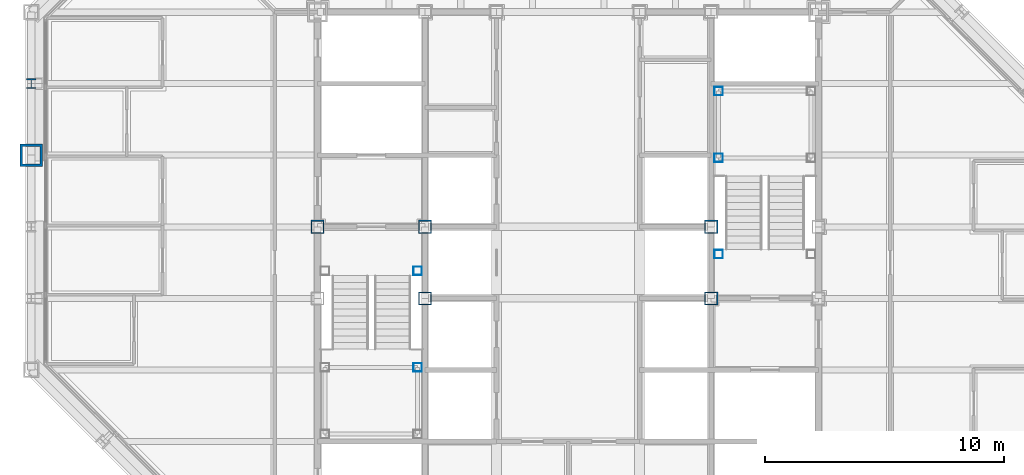
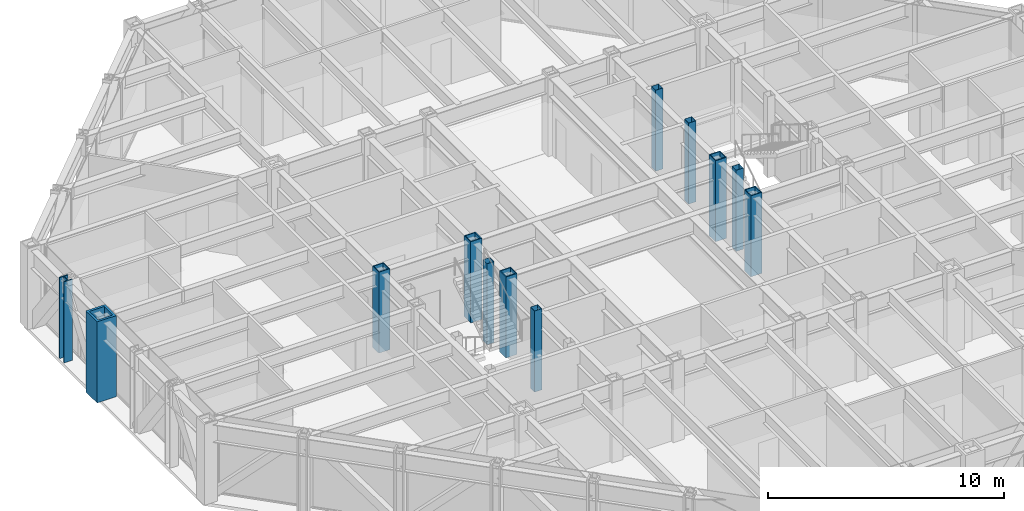
# One storey, part 2 of 16: 12 columns.
"""IFC4 building model written with IfcOpenShell, lengths in metres."""

from ifc_helpers import new_model, si_unit, direction, frame, origin, origin_2d, place, context, subcontext, project, spatial, hollow_rectangle, i_section, extrude, material, material_profile, profile_set, type_object, element, save


model = new_model("IFC4")

# Units and contexts
model_context = context("Model", 3, precision=1e-05, world=origin(), true_north=direction((0.0, 1.0)))
body_context = subcontext(model_context, "Body", "Model", "MODEL_VIEW")
ifc_project = project(units=[si_unit("LENGTHUNIT", "METRE"), si_unit("AREAUNIT", "SQUARE_METRE"), si_unit("VOLUMEUNIT", "CUBIC_METRE"), si_unit("PLANEANGLEUNIT", "RADIAN"), si_unit("MASSUNIT", "GRAM", prefix="KILO")], contexts=[model_context])

# Site, building, storey
site_placement = place(None, origin())
site = spatial("IfcSite", under=ifc_project, at=site_placement, CompositionType="ELEMENT")
building_placement = place(site_placement, origin())
building = spatial("IfcBuilding", under=site, at=building_placement, Name="Chuquiago Exchange Tower", CompositionType="ELEMENT")
storey_placement = place(building_placement, frame((0.0, 0.0, 222.300048828125)))
storey = spatial("IfcBuildingStorey", under=building, at=storey_placement, Name="L49", CompositionType="ELEMENT", Elevation=222.300048828125)

# Columns
ifc_material_1 = material(Name="Steel ASTM A992", Category="steel")
ifc_material_profile_1 = material_profile(ifc_material_1, i_section(OverallWidth=0.408935546875, OverallDepth=0.424072265625, WebThickness=0.03271484375, FlangeThickness=0.052490234375, at=origin_2d()), Name="W14X283")
ifc_profile_set_1 = profile_set([ifc_material_profile_1], Name="Steel ASTM A992")
column_type_1 = type_object("IfcColumnType", Name="C8 W14X283", PredefinedType="COLUMN", material=ifc_profile_set_1)
column_1_placement = place(storey_placement, frame((0.0, 30.0, 0.0), z_axis=(0.0, 0.0, 1.0), x_axis=(-1.0, 0.0, 0.0)))
element("IfcColumn", 1, at=column_1_placement, inside=storey, type_object=column_type_1, Name="COL-L49-0_30", PredefinedType="COLUMN", context=body_context, shape_type="SweptSolid", body=[
    extrude(i_section(OverallWidth=0.408935546875, OverallDepth=0.424072265625, WebThickness=0.03271484375, FlangeThickness=0.052490234375, at=origin_2d()), origin(), (0.0, 0.0, 1.0), 4.199951171875),
])
ifc_material_2 = material(Name="Steel ASTM A572 Grade 50", Category="steel")
ifc_material_profile_2 = material_profile(ifc_material_2, hollow_rectangle(XDim=0.550048828125, YDim=0.550048828125, WallThickness=0.044921875, at=origin_2d()), Name="BOX550X550X45")
ifc_profile_set_2 = profile_set([ifc_material_profile_2], Name="Steel ASTM A572 Grade 50")
column_type_2 = type_object("IfcColumnType", Name="CC8 BOX550X550X45", PredefinedType="COLUMN", material=ifc_profile_set_2)
for number, where, z_axis, x_axis, name in (
    (2, (12.0, 24.0, 0.0), (0.0, 0.0, 1.0), (1.0, 0.0, 0.0), "CCOL-L49-12_24"),
    (3, (16.5, 21.0, 0.0), (0.0, 0.0, 1.0), (1.0, 0.0, 0.0), "CCOL-L49-16.5_21"),
    (4, (16.5, 24.0, 0.0), (0.0, 0.0, 1.0), (1.0, 0.0, 0.0), "CCOL-L49-16.5_24"),
    (5, (28.5, 21.0, 0.0), (0.0, 0.0, 1.0), (1.0, 0.0, 0.0), "CCOL-L49-28.5_21"),
    (6, (28.5, 24.0, 0.0), (0.0, 0.0, 1.0), (1.0, 0.0, 0.0), "CCOL-L49-28.5_24"),
):
    element("IfcColumn", number, at=place(storey_placement, frame(where, z_axis=z_axis, x_axis=x_axis)), inside=storey, type_object=column_type_2, Name=name, PredefinedType="COLUMN", context=body_context, shape_type="SweptSolid", body=[
        extrude(hollow_rectangle(XDim=0.550048828125, YDim=0.550048828125, WallThickness=0.044921875, at=origin_2d()), origin(), (0.0, 0.0, 1.0), 4.199951171875),
    ])
ifc_material_3 = material(Name="Steel ASTM A572 Grade 42", Category="steel")
ifc_material_profile_3 = material_profile(ifc_material_3, hollow_rectangle(XDim=0.949951171875, YDim=0.949951171875, WallThickness=0.110107421875, at=origin_2d()), Name="BOX950X950X110")
ifc_profile_set_3 = profile_set([ifc_material_profile_3], Name="Steel ASTM A572 Grade 42")
column_type_3 = type_object("IfcColumnType", Name="CT1 BOX950X950X110", PredefinedType="COLUMN", material=ifc_profile_set_3)
column_2_placement = place(storey_placement, frame((0.0, 27.0, 0.0), z_axis=(0.0, 0.0, 1.0), x_axis=(-1.0, 0.0, 0.0)))
element("IfcColumn", 7, at=column_2_placement, inside=storey, type_object=column_type_3, Name="COL-L49-0_27", PredefinedType="COLUMN", context=body_context, shape_type="SweptSolid", body=[
    extrude(hollow_rectangle(XDim=0.949951171875, YDim=0.949951171875, WallThickness=0.110107421875, at=origin_2d()), origin(), (0.0, 0.0, 1.0), 4.199951171875),
])
ifc_material_4 = material(Name="Steel ASTM A500 Grade C", Category="steel")
ifc_material_profile_4 = material_profile(ifc_material_4, hollow_rectangle(XDim=0.355712890625, YDim=0.355712890625, WallThickness=0.0087890625, at=origin_2d()), Name="HSS14X14X3/8")
ifc_profile_set_4 = profile_set([ifc_material_profile_4], Name="Steel ASTM A500 Grade C")
column_type_4 = type_object("IfcColumnType", Name="PT1 HSS14X14X3/8", PredefinedType="COLUMN", material=ifc_profile_set_4)
for number, where, z_axis, x_axis, name in (
    (8, (16.18994140625, 18.110107421875, 0.0), (0.0, 0.0, 1.0), (1.0, 0.0, 0.0), "Stair ST1 L49 landing post"),
    (9, (16.18994140625, 22.14990234375, 0.0), (0.0, 0.0, 1.0), (1.0, 0.0, 0.0), "Stair ST1 L49 landing post"),
    (10, (28.81005859375, 29.68994140625, 0.0), (0.0, 0.0, 1.0), (1.0, 0.0, 0.0), "Stair ST2 L49 landing post"),
    (11, (28.81005859375, 26.889892578125, 0.0), (0.0, 0.0, 1.0), (1.0, 0.0, 0.0), "Stair ST2 L49 landing post"),
    (12, (28.81005859375, 22.85009765625, 0.0), (0.0, 0.0, 1.0), (1.0, 0.0, 0.0), "Stair ST2 L49 landing post"),
):
    element("IfcColumn", number, at=place(storey_placement, frame(where, z_axis=z_axis, x_axis=x_axis)), inside=storey, type_object=column_type_4, Name=name, PredefinedType="COLUMN", context=body_context, shape_type="SweptSolid", body=[
        extrude(hollow_rectangle(XDim=0.355712890625, YDim=0.355712890625, WallThickness=0.0087890625, at=origin_2d()), origin(), (0.0, 0.0, 1.0), 4.199951171875),
    ])

save(model, "model.ifc")
